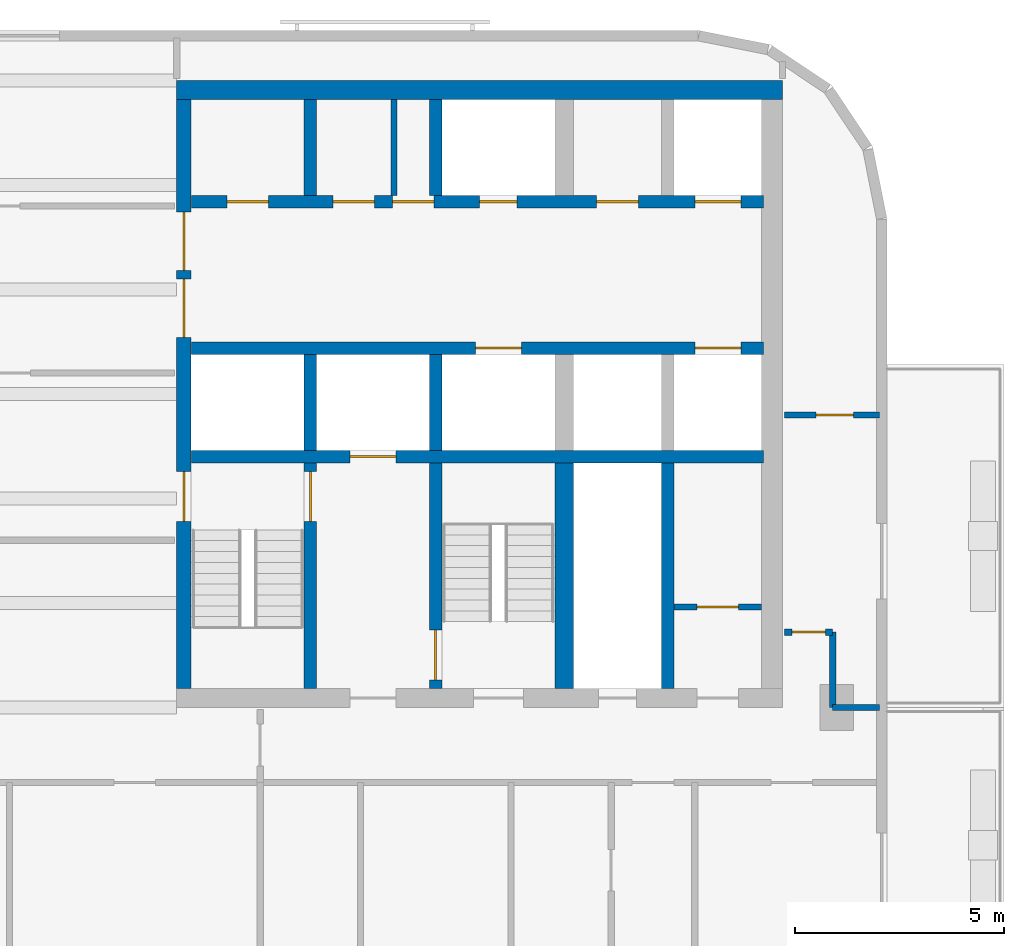
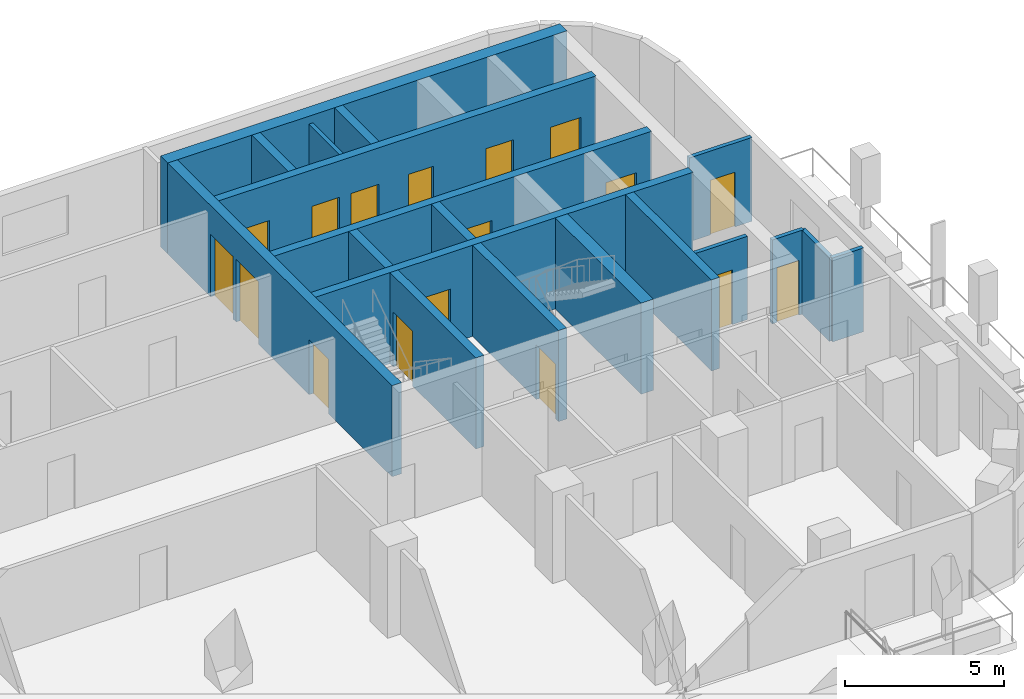
# One storey, part 6 of 11: 19 walls, 17 doors, 17 openings.
"""IFC4 building model written with IfcOpenShell, lengths in metres."""

from ifc_helpers import new_model, si_unit, direction, frame, frame_2d, origin, place, context, subcontext, project, spatial, rectangle, extrude, material, layer, layer_set, type_object, element, fill, save


model = new_model("IFC4")

# Units and contexts
model_context = context("Model", 3, precision=1e-05, world=origin(), true_north=direction((0.0, 1.0)))
body_context = subcontext(model_context, "Body", "Model", "MODEL_VIEW")
ifc_project = project(units=[si_unit("LENGTHUNIT", "METRE"), si_unit("AREAUNIT", "SQUARE_METRE"), si_unit("VOLUMEUNIT", "CUBIC_METRE"), si_unit("PLANEANGLEUNIT", "RADIAN"), si_unit("MASSUNIT", "GRAM", prefix="KILO")], contexts=[model_context])

# Site, building, storey
site_placement = place(None, origin())
site = spatial("IfcSite", under=ifc_project, at=site_placement, CompositionType="ELEMENT")
building_placement = place(site_placement, origin())
building = spatial("IfcBuilding", under=site, at=building_placement, Name="Torana Hotel and Residences", CompositionType="ELEMENT")
storey_placement = place(building_placement, frame((0.0, 0.0, 222.10009765625)))
storey = spatial("IfcBuildingStorey", under=building, at=storey_placement, Name="L58", CompositionType="ELEMENT", Elevation=222.10009765625)

# Wall, openings, doors
ifc_material_1 = material(Name="Concrete C70/85", Category="concrete")
ifc_layer_1 = layer(ifc_material_1, 0.300048828125)
ifc_layer_set_1 = layer_set([ifc_layer_1], Name="CORE WALL 300 C70/85")
wall_type_1 = type_object("IfcWallType", Name="CORE WALL 300 C70/85", PredefinedType="SHEAR", material=ifc_layer_set_1)
wall_1_placement = place(storey_placement, frame((10.35009765625, -2.89990234375, 0.0), z_axis=(0.0, 0.0, 1.0), x_axis=(1.0, 0.0, 0.0)))
wall_1 = element("IfcWall", 1, at=wall_1_placement, inside=storey, type_object=wall_type_1, Name="Core wall E row-N", PredefinedType="SHEAR", context=body_context, shape_type="SweptSolid", body=[
    extrude(rectangle(XDim=13.699951171875, YDim=0.300048828125, at=frame_2d((6.85009765625, 0.0))), origin(), (0.0, 0.0, 1.0), 3.5),
])
opening_1_placement = place(wall_1_placement, frame((12.050048828125, 0.0, 0.0)))
opening_1 = element("IfcOpeningElement", 2, at=opening_1_placement, cuts=wall_1, Name="Opening LD", PredefinedType="OPENING", context=body_context, shape_type="SweptSolid", body=[
    extrude(rectangle(XDim=1.10009765625, YDim=2.10009765625, at=frame_2d((0.550048828125, 1.050048828125))), frame((0.0, 0.159912109375, 0.0), z_axis=(0.0, -1.0, 0.0), x_axis=(1.0, 0.0, 0.0)), (0.0, 0.0, 1.0), 0.320068359375),
])
opening_2_placement = place(wall_1_placement, frame((6.89990234375, 0.0, 0.0)))
opening_2 = element("IfcOpeningElement", 3, at=opening_2_placement, cuts=wall_1, Name="Opening L58-22", PredefinedType="OPENING", context=body_context, shape_type="SweptSolid", body=[
    extrude(rectangle(XDim=0.89990234375, YDim=2.10009765625, at=frame_2d((0.449951171875, 1.050048828125))), frame((0.0, 0.159912109375, 0.0), z_axis=(0.0, -1.0, 0.0), x_axis=(1.0, 0.0, 0.0)), (0.0, 0.0, 1.0), 0.320068359375),
])
opening_3_placement = place(wall_1_placement, frame((0.85009765625, 0.0, 0.0)))
opening_3 = element("IfcOpeningElement", 4, at=opening_3_placement, cuts=wall_1, Name="Opening L58-23", PredefinedType="OPENING", context=body_context, shape_type="SweptSolid", body=[
    extrude(rectangle(XDim=1.0, YDim=2.10009765625, at=frame_2d((0.5, 1.050048828125))), frame((0.0, 0.159912109375, 0.0), z_axis=(0.0, -1.0, 0.0), x_axis=(1.0, 0.0, 0.0)), (0.0, 0.0, 1.0), 0.320068359375),
])
opening_4_placement = place(wall_1_placement, frame((3.387451171875, 0.0, 0.0)))
opening_4 = element("IfcOpeningElement", 5, at=opening_4_placement, cuts=wall_1, Name="Opening L58-24", PredefinedType="OPENING", context=body_context, shape_type="SweptSolid", body=[
    extrude(rectangle(XDim=1.0, YDim=2.10009765625, at=frame_2d((0.5, 1.050048828125))), frame((0.0, 0.159912109375, 0.0), z_axis=(0.0, -1.0, 0.0), x_axis=(1.0, 0.0, 0.0)), (0.0, 0.0, 1.0), 0.320068359375),
])
opening_5_placement = place(wall_1_placement, frame((4.8125, 0.0, 0.0)))
opening_5 = element("IfcOpeningElement", 6, at=opening_5_placement, cuts=wall_1, Name="Opening L58-25", PredefinedType="OPENING", context=body_context, shape_type="SweptSolid", body=[
    extrude(rectangle(XDim=1.0, YDim=2.10009765625, at=frame_2d((0.5, 1.050048828125))), frame((0.0, 0.159912109375, 0.0), z_axis=(0.0, -1.0, 0.0), x_axis=(1.0, 0.0, 0.0)), (0.0, 0.0, 1.0), 0.320068359375),
])
opening_6_placement = place(wall_1_placement, frame((9.699951171875, 0.0, 0.0)))
opening_6 = element("IfcOpeningElement", 7, at=opening_6_placement, cuts=wall_1, Name="Opening L58-26", PredefinedType="OPENING", context=body_context, shape_type="SweptSolid", body=[
    extrude(rectangle(XDim=1.0, YDim=2.10009765625, at=frame_2d((0.5, 1.050048828125))), frame((0.0, 0.159912109375, 0.0), z_axis=(0.0, -1.0, 0.0), x_axis=(1.0, 0.0, 0.0)), (0.0, 0.0, 1.0), 0.320068359375),
])
ifc_material_2 = material(Name="Steel S235", Category="steel")
door_type_1 = type_object("IfcDoorType", Name="CORE ROOM FIRE DOOR D14 1000x2100", OperationType="SINGLE_SWING_LEFT", PredefinedType="DOOR", material=ifc_material_2)
door_1_placement = place(opening_3_placement, origin())
door_1 = element("IfcDoor", 8, at=door_1_placement, inside=storey, type_object=door_type_1, Name="N0 door L58", OperationType="SINGLE_SWING_RIGHT", OverallHeight=2.10009765625, OverallWidth=1.0, PredefinedType="DOOR", context=body_context, shape_type="SweptSolid", body=[
    extrude(rectangle(XDim=1.0, YDim=2.10009765625, at=frame_2d((0.5, 1.050048828125))), frame((0.0, 0.02490234375, 0.0), z_axis=(0.0, -1.0, 0.0), x_axis=(1.0, 0.0, 0.0)), (0.0, 0.0, 1.0), 0.050048828125),
])
fill(opening_3, door_1)
door_2_placement = place(opening_4_placement, origin())
door_2 = element("IfcDoor", 9, at=door_2_placement, inside=storey, type_object=door_type_1, Name="N1A door L58", OperationType="SINGLE_SWING_RIGHT", OverallHeight=2.10009765625, OverallWidth=1.0, PredefinedType="DOOR", context=body_context, shape_type="SweptSolid", body=[
    extrude(rectangle(XDim=1.0, YDim=2.10009765625, at=frame_2d((0.5, 1.050048828125))), frame((0.0, 0.02490234375, 0.0), z_axis=(0.0, -1.0, 0.0), x_axis=(1.0, 0.0, 0.0)), (0.0, 0.0, 1.0), 0.050048828125),
])
fill(opening_4, door_2)
door_3_placement = place(opening_5_placement, origin())
door_3 = element("IfcDoor", 10, at=door_3_placement, inside=storey, type_object=door_type_1, Name="N1B door L58", OperationType="SINGLE_SWING_LEFT", OverallHeight=2.10009765625, OverallWidth=1.0, PredefinedType="DOOR", context=body_context, shape_type="SweptSolid", body=[
    extrude(rectangle(XDim=1.0, YDim=2.10009765625, at=frame_2d((0.5, 1.050048828125))), frame((0.0, 0.02490234375, 0.0), z_axis=(0.0, -1.0, 0.0), x_axis=(1.0, 0.0, 0.0)), (0.0, 0.0, 1.0), 0.050048828125),
])
fill(opening_5, door_3)
door_4_placement = place(opening_6_placement, origin())
door_4 = element("IfcDoor", 11, at=door_4_placement, inside=storey, type_object=door_type_1, Name="Freed-S2 door L58", OperationType="SINGLE_SWING_RIGHT", OverallHeight=2.10009765625, OverallWidth=1.0, PredefinedType="DOOR", context=body_context, shape_type="SweptSolid", body=[
    extrude(rectangle(XDim=1.0, YDim=2.10009765625, at=frame_2d((0.5, 1.050048828125))), frame((0.0, 0.02490234375, 0.0), z_axis=(0.0, -1.0, 0.0), x_axis=(1.0, 0.0, 0.0)), (0.0, 0.0, 1.0), 0.050048828125),
])
fill(opening_6, door_4)
ifc_material_3 = material(Name="Stainless steel 316", Category="steel")
door_type_2 = type_object("IfcDoorType", Name="LIFT LANDING DOOR LD 1100x2100", OperationType="DOUBLE_DOOR_SLIDING", PredefinedType="USERDEFINED", material=ifc_material_3)
door_5_placement = place(opening_1_placement, origin())
door_5 = element("IfcDoor", 12, at=door_5_placement, inside=storey, type_object=door_type_2, Name="Lift landing door M3 L58", ObjectType="LIFT LANDING DOOR", OperationType="DOUBLE_DOOR_SLIDING", OverallHeight=2.10009765625, OverallWidth=1.10009765625, PredefinedType="USERDEFINED", context=body_context, shape_type="SweptSolid", body=[
    extrude(rectangle(XDim=1.10009765625, YDim=2.10009765625, at=frame_2d((0.550048828125, 1.050048828125))), frame((0.0, 0.02490234375, 0.0), z_axis=(0.0, -1.0, 0.0), x_axis=(1.0, 0.0, 0.0)), (0.0, 0.0, 1.0), 0.050048828125),
])
fill(opening_1, door_5)
ifc_material_4 = material(Name="Steel S235", Category="steel")
door_type_3 = type_object("IfcDoorType", Name="RISER ACCESS DOOR D5 900x2100", OperationType="SINGLE_SWING_LEFT", PredefinedType="DOOR", material=ifc_material_4)
door_6_placement = place(opening_2_placement, origin())
door_6 = element("IfcDoor", 13, at=door_6_placement, inside=storey, type_object=door_type_3, Name="N2 door L58", OperationType="SINGLE_SWING_RIGHT", OverallHeight=2.10009765625, OverallWidth=0.89990234375, PredefinedType="DOOR", context=body_context, shape_type="SweptSolid", body=[
    extrude(rectangle(XDim=0.89990234375, YDim=2.10009765625, at=frame_2d((0.449951171875, 1.050048828125))), frame((0.0, 0.02490234375, 0.0), z_axis=(0.0, -1.0, 0.0), x_axis=(1.0, 0.0, 0.0)), (0.0, 0.0, 1.0), 0.050048828125),
])
fill(opening_2, door_6)

wall_2_placement = place(storey_placement, frame((10.35009765625, -6.39990234375, 0.0), z_axis=(0.0, 0.0, 1.0), x_axis=(1.0, 0.0, 0.0)))
wall_2 = element("IfcWall", 14, at=wall_2_placement, inside=storey, type_object=wall_type_1, Name="Core wall E row-S", PredefinedType="SHEAR", context=body_context, shape_type="SweptSolid", body=[
    extrude(rectangle(XDim=13.699951171875, YDim=0.300048828125, at=frame_2d((6.85009765625, 0.0))), origin(), (0.0, 0.0, 1.0), 3.5),
])
opening_7_placement = place(wall_2_placement, frame((12.050048828125, 0.0, 0.0)))
opening_7 = element("IfcOpeningElement", 15, at=opening_7_placement, cuts=wall_2, Name="Opening LD", PredefinedType="OPENING", context=body_context, shape_type="SweptSolid", body=[
    extrude(rectangle(XDim=1.10009765625, YDim=2.10009765625, at=frame_2d((0.550048828125, 1.050048828125))), frame((0.0, 0.159912109375, 0.0), z_axis=(0.0, -1.0, 0.0), x_axis=(1.0, 0.0, 0.0)), (0.0, 0.0, 1.0), 0.320068359375),
])
opening_8_placement = place(wall_2_placement, frame((6.800048828125, 0.0, 0.0)))
opening_8 = element("IfcOpeningElement", 16, at=opening_8_placement, cuts=wall_2, Name="Opening LD", PredefinedType="OPENING", context=body_context, shape_type="SweptSolid", body=[
    extrude(rectangle(XDim=1.10009765625, YDim=2.10009765625, at=frame_2d((0.550048828125, 1.050048828125))), frame((0.0, 0.159912109375, 0.0), z_axis=(0.0, -1.0, 0.0), x_axis=(1.0, 0.0, 0.0)), (0.0, 0.0, 1.0), 0.320068359375),
])
door_7_placement = place(opening_7_placement, origin())
door_7 = element("IfcDoor", 17, at=door_7_placement, inside=storey, type_object=door_type_2, Name="Lift landing door M4 L58", ObjectType="LIFT LANDING DOOR", OperationType="DOUBLE_DOOR_SLIDING", OverallHeight=2.10009765625, OverallWidth=1.10009765625, PredefinedType="USERDEFINED", context=body_context, shape_type="SweptSolid", body=[
    extrude(rectangle(XDim=1.10009765625, YDim=2.10009765625, at=frame_2d((0.550048828125, 1.050048828125))), frame((0.0, 0.02490234375, 0.0), z_axis=(0.0, -1.0, 0.0), x_axis=(1.0, 0.0, 0.0)), (0.0, 0.0, 1.0), 0.050048828125),
])
fill(opening_7, door_7)
door_8_placement = place(opening_8_placement, origin())
door_8 = element("IfcDoor", 18, at=door_8_placement, inside=storey, type_object=door_type_2, Name="Lift landing door SV2 L58", ObjectType="LIFT LANDING DOOR", OperationType="DOUBLE_DOOR_SLIDING", OverallHeight=2.10009765625, OverallWidth=1.10009765625, PredefinedType="USERDEFINED", context=body_context, shape_type="SweptSolid", body=[
    extrude(rectangle(XDim=1.10009765625, YDim=2.10009765625, at=frame_2d((0.550048828125, 1.050048828125))), frame((0.0, 0.02490234375, 0.0), z_axis=(0.0, -1.0, 0.0), x_axis=(1.0, 0.0, 0.0)), (0.0, 0.0, 1.0), 0.050048828125),
])
fill(opening_8, door_8)

# Wall, opening, door
wall_3_placement = place(storey_placement, frame((10.35009765625, -9.0, 0.0), z_axis=(0.0, 0.0, 1.0), x_axis=(1.0, 0.0, 0.0)))
wall_3 = element("IfcWall", 19, at=wall_3_placement, inside=storey, type_object=wall_type_1, Name="Core wall E band", PredefinedType="SHEAR", context=body_context, shape_type="SweptSolid", body=[
    extrude(rectangle(XDim=13.699951171875, YDim=0.300048828125, at=frame_2d((6.85009765625, 0.0))), origin(), (0.0, 0.0, 1.0), 3.5),
])
opening_9_placement = place(wall_3_placement, frame((3.800048828125, 0.0, 0.0)))
opening_9 = element("IfcOpeningElement", 20, at=opening_9_placement, cuts=wall_3, Name="Opening LD", PredefinedType="OPENING", context=body_context, shape_type="SweptSolid", body=[
    extrude(rectangle(XDim=1.10009765625, YDim=2.10009765625, at=frame_2d((0.550048828125, 1.050048828125))), frame((0.0, 0.159912109375, 0.0), z_axis=(0.0, -1.0, 0.0), x_axis=(1.0, 0.0, 0.0)), (0.0, 0.0, 1.0), 0.320068359375),
])
door_9_placement = place(opening_9_placement, origin())
door_9 = element("IfcDoor", 21, at=door_9_placement, inside=storey, type_object=door_type_2, Name="Lift landing door FF2 L58", ObjectType="LIFT LANDING DOOR", OperationType="DOUBLE_DOOR_SLIDING", OverallHeight=2.10009765625, OverallWidth=1.10009765625, PredefinedType="USERDEFINED", context=body_context, shape_type="SweptSolid", body=[
    extrude(rectangle(XDim=1.10009765625, YDim=2.10009765625, at=frame_2d((0.550048828125, 1.050048828125))), frame((0.0, 0.02490234375, 0.0), z_axis=(0.0, -1.0, 0.0), x_axis=(1.0, 0.0, 0.0)), (0.0, 0.0, 1.0), 0.050048828125),
])
fill(opening_9, door_9)

# Walls
for number, where, z_axis, x_axis, name in (
    (22, (13.199951171875, -2.75, 0.0), (0.0, 0.0, 1.0), (0.0, 1.0, 0.0), "Core wall E x3.05-N"),
    (23, (13.199951171875, -8.85009765625, 0.0), (0.0, 0.0, 1.0), (0.0, 1.0, 0.0), "Core wall E x3.05-S"),
):
    element("IfcWall", number, at=place(storey_placement, frame(where, z_axis=z_axis, x_axis=x_axis)), inside=storey, type_object=wall_type_1, Name=name, PredefinedType="SHEAR", context=body_context, shape_type="SweptSolid", body=[
        extrude(rectangle(XDim=2.300048828125, YDim=0.300048828125, at=frame_2d((1.14990234375, 0.0))), origin(), (0.0, 0.0, 1.0), 3.5),
    ])

# Wall, opening, door
wall_4_placement = place(storey_placement, frame((13.199951171875, -14.550048828125, 0.0), z_axis=(0.0, 0.0, 1.0), x_axis=(0.0, 1.0, 0.0)))
wall_4 = element("IfcWall", 24, at=wall_4_placement, inside=storey, type_object=wall_type_1, Name="Core wall E x3.05-band", PredefinedType="SHEAR", context=body_context, shape_type="SweptSolid", body=[
    extrude(rectangle(XDim=5.400146484375, YDim=0.300048828125, at=frame_2d((2.7001953125, 0.0))), origin(), (0.0, 0.0, 1.0), 3.5),
])
opening_10_placement = place(wall_4_placement, frame((4.0, 0.0, 0.0)))
opening_10 = element("IfcOpeningElement", 25, at=opening_10_placement, cuts=wall_4, Name="Opening L58-27", PredefinedType="OPENING", context=body_context, shape_type="SweptSolid", body=[
    extrude(rectangle(XDim=1.199951171875, YDim=2.10009765625, at=frame_2d((0.60009765625, 1.050048828125))), frame((0.0, 0.159912109375, 0.0), z_axis=(0.0, -1.0, 0.0), x_axis=(1.0, 0.0, 0.0)), (0.0, 0.0, 1.0), 0.320068359375),
])
ifc_material_5 = material(Name="Steel S235", Category="steel")
door_type_4 = type_object("IfcDoorType", Name="STAIR FIRE DOOR D3 1200x2100", OperationType="SINGLE_SWING_LEFT", PredefinedType="DOOR", material=ifc_material_5)
door_10_placement = place(opening_10_placement, origin())
door_10 = element("IfcDoor", 26, at=door_10_placement, inside=storey, type_object=door_type_4, Name="Stair-A-lobby door L58", OperationType="SINGLE_SWING_LEFT", OverallHeight=2.10009765625, OverallWidth=1.199951171875, PredefinedType="DOOR", context=body_context, shape_type="SweptSolid", body=[
    extrude(rectangle(XDim=1.199951171875, YDim=2.10009765625, at=frame_2d((0.60009765625, 1.050048828125))), frame((0.0, 0.02490234375, 0.0), z_axis=(0.0, -1.0, 0.0), x_axis=(1.0, 0.0, 0.0)), (0.0, 0.0, 1.0), 0.050048828125),
])
fill(opening_10, door_10)

# Walls
for number, where, z_axis, x_axis, name in (
    (27, (16.199951171875, -2.75, 0.0), (0.0, 0.0, 1.0), (0.0, 1.0, 0.0), "Core wall E x6.05-N"),
    (28, (16.199951171875, -8.85009765625, 0.0), (0.0, 0.0, 1.0), (0.0, 1.0, 0.0), "Core wall E x6.05-S"),
):
    element("IfcWall", number, at=place(storey_placement, frame(where, z_axis=z_axis, x_axis=x_axis)), inside=storey, type_object=wall_type_1, Name=name, PredefinedType="SHEAR", context=body_context, shape_type="SweptSolid", body=[
        extrude(rectangle(XDim=2.300048828125, YDim=0.300048828125, at=frame_2d((1.14990234375, 0.0))), origin(), (0.0, 0.0, 1.0), 3.5),
    ])

# Wall, opening, door
wall_5_placement = place(storey_placement, frame((16.199951171875, -14.550048828125, 0.0), z_axis=(0.0, 0.0, 1.0), x_axis=(0.0, 1.0, 0.0)))
wall_5 = element("IfcWall", 29, at=wall_5_placement, inside=storey, type_object=wall_type_1, Name="Core wall E x6.05-band", PredefinedType="SHEAR", context=body_context, shape_type="SweptSolid", body=[
    extrude(rectangle(XDim=5.400146484375, YDim=0.300048828125, at=frame_2d((2.7001953125, 0.0))), origin(), (0.0, 0.0, 1.0), 3.5),
])
opening_11_placement = place(wall_5_placement, frame((0.199951171875, 0.0, 0.0)))
opening_11 = element("IfcOpeningElement", 30, at=opening_11_placement, cuts=wall_5, Name="Opening L58-28", PredefinedType="OPENING", context=body_context, shape_type="SweptSolid", body=[
    extrude(rectangle(XDim=1.199951171875, YDim=2.10009765625, at=frame_2d((0.60009765625, 1.050048828125))), frame((0.0, 0.159912109375, 0.0), z_axis=(0.0, -1.0, 0.0), x_axis=(1.0, 0.0, 0.0)), (0.0, 0.0, 1.0), 0.320068359375),
])
door_11_placement = place(opening_11_placement, frame((0.60009765625, 0.0, 0.0), z_axis=(0.0, 0.0, 1.0), x_axis=(-1.0, 0.0, 0.0)))
door_11 = element("IfcDoor", 31, at=door_11_placement, inside=storey, type_object=door_type_4, Name="Stair-B-lobby door L58", OperationType="SINGLE_SWING_LEFT", OverallHeight=2.10009765625, OverallWidth=1.199951171875, PredefinedType="DOOR", context=body_context, shape_type="SweptSolid", body=[
    extrude(rectangle(XDim=1.199951171875, YDim=2.10009765625, at=frame_2d((0.0, 1.050048828125))), frame((0.0, -0.02490234375, 0.0), z_axis=(0.0, 1.0, 0.0), x_axis=(-1.0, 0.0, 0.0)), (0.0, 0.0, 1.0), 0.050048828125),
])
fill(opening_11, door_11)

# Wall
wall_6_placement = place(storey_placement, frame((21.75, -14.550048828125, 0.0), z_axis=(0.0, 0.0, 1.0), x_axis=(0.0, 1.0, 0.0)))
element("IfcWall", 32, at=wall_6_placement, inside=storey, type_object=wall_type_1, Name="Core wall E mm-band", PredefinedType="SHEAR", context=body_context, shape_type="SweptSolid", body=[
    extrude(rectangle(XDim=5.400146484375, YDim=0.300048828125, at=frame_2d((2.7001953125, 0.0))), origin(), (0.0, 0.0, 1.0), 3.5),
])

# Wall, openings, doors
ifc_material_6 = material(Name="Concrete C70/85", Category="concrete")
ifc_layer_2 = layer(ifc_material_6, 0.35009765625)
ifc_layer_set_2 = layer_set([ifc_layer_2], Name="CORE WALL 350 C70/85")
wall_type_2 = type_object("IfcWallType", Name="CORE WALL 350 C70/85", PredefinedType="SHEAR", material=ifc_layer_set_2)
wall_7_placement = place(storey_placement, frame((10.175048828125, -14.550048828125, 0.0), z_axis=(0.0, 0.0, 1.0), x_axis=(0.0, 1.0, 0.0)))
wall_7 = element("IfcWall", 33, at=wall_7_placement, inside=storey, type_object=wall_type_2, Name="Core wall E arch", PredefinedType="SHEAR", context=body_context, shape_type="SweptSolid", body=[
    extrude(rectangle(XDim=14.10009765625, YDim=0.35009765625, at=frame_2d((7.050048828125, 0.0))), origin(), (0.0, 0.0, 1.0), 3.5),
])
opening_12_placement = place(wall_7_placement, frame((8.39990234375, 0.0, 0.0)))
opening_12 = element("IfcOpeningElement", 34, at=opening_12_placement, cuts=wall_7, Name="Opening L58-15", PredefinedType="OPENING", context=body_context, shape_type="SweptSolid", body=[
    extrude(rectangle(XDim=1.39990234375, YDim=2.39990234375, at=frame_2d((0.699951171875, 1.199951171875))), frame((0.0, 0.18505859375, 0.0), z_axis=(0.0, -1.0, 0.0), x_axis=(1.0, 0.0, 0.0)), (0.0, 0.0, 1.0), 0.3701171875),
])
opening_13_placement = place(wall_7_placement, frame((10.0, 0.0, 0.0)))
opening_13 = element("IfcOpeningElement", 35, at=opening_13_placement, cuts=wall_7, Name="Opening L58-16", PredefinedType="OPENING", context=body_context, shape_type="SweptSolid", body=[
    extrude(rectangle(XDim=1.39990234375, YDim=2.39990234375, at=frame_2d((0.699951171875, 1.199951171875))), frame((0.0, 0.18505859375, 0.0), z_axis=(0.0, -1.0, 0.0), x_axis=(1.0, 0.0, 0.0)), (0.0, 0.0, 1.0), 0.3701171875),
])
opening_14_placement = place(wall_7_placement, frame((4.0, 0.0, 0.0)))
opening_14 = element("IfcOpeningElement", 36, at=opening_14_placement, cuts=wall_7, Name="Opening L58-17", PredefinedType="OPENING", context=body_context, shape_type="SweptSolid", body=[
    extrude(rectangle(XDim=1.199951171875, YDim=2.10009765625, at=frame_2d((0.60009765625, 1.050048828125))), frame((0.0, 0.18505859375, 0.0), z_axis=(0.0, -1.0, 0.0), x_axis=(1.0, 0.0, 0.0)), (0.0, 0.0, 1.0), 0.3701171875),
])
ifc_material_7 = material(Name="Steel S235", Category="steel")
door_type_5 = type_object("IfcDoorType", Name="LOBBY FIRE DOOR D4 1400x2400", OperationType="DOUBLE_DOOR_SINGLE_SWING", PredefinedType="DOOR", material=ifc_material_7)
door_12_placement = place(opening_12_placement, origin())
door_12 = element("IfcDoor", 37, at=door_12_placement, inside=storey, type_object=door_type_5, Name="Lobby-1 door L58", OperationType="DOUBLE_DOOR_SINGLE_SWING", OverallHeight=2.39990234375, OverallWidth=1.39990234375, PredefinedType="DOOR", context=body_context, shape_type="SweptSolid", body=[
    extrude(rectangle(XDim=1.39990234375, YDim=2.39990234375, at=frame_2d((0.699951171875, 1.199951171875))), frame((0.0, 0.02490234375, 0.0), z_axis=(0.0, -1.0, 0.0), x_axis=(1.0, 0.0, 0.0)), (0.0, 0.0, 1.0), 0.050048828125),
])
fill(opening_12, door_12)
door_13_placement = place(opening_13_placement, origin())
door_13 = element("IfcDoor", 38, at=door_13_placement, inside=storey, type_object=door_type_5, Name="Lobby-2 door L58", OperationType="DOUBLE_DOOR_SINGLE_SWING", OverallHeight=2.39990234375, OverallWidth=1.39990234375, PredefinedType="DOOR", context=body_context, shape_type="SweptSolid", body=[
    extrude(rectangle(XDim=1.39990234375, YDim=2.39990234375, at=frame_2d((0.699951171875, 1.199951171875))), frame((0.0, 0.02490234375, 0.0), z_axis=(0.0, -1.0, 0.0), x_axis=(1.0, 0.0, 0.0)), (0.0, 0.0, 1.0), 0.050048828125),
])
fill(opening_13, door_13)
door_14_placement = place(opening_14_placement, frame((0.60009765625, 0.0, 0.0), z_axis=(0.0, 0.0, 1.0), x_axis=(-1.0, 0.0, 0.0)))
door_14 = element("IfcDoor", 39, at=door_14_placement, inside=storey, type_object=door_type_4, Name="Stair-A door L58", OperationType="SINGLE_SWING_RIGHT", OverallHeight=2.10009765625, OverallWidth=1.199951171875, PredefinedType="DOOR", context=body_context, shape_type="SweptSolid", body=[
    extrude(rectangle(XDim=1.199951171875, YDim=2.10009765625, at=frame_2d((0.0, 1.050048828125))), frame((0.0, -0.02490234375, 0.0), z_axis=(0.0, 1.0, 0.0), x_axis=(-1.0, 0.0, 0.0)), (0.0, 0.0, 1.0), 0.050048828125),
])
fill(opening_14, door_14)

# Walls
ifc_material_8 = material(Name="Concrete C70/85", Category="concrete")
ifc_layer_3 = layer(ifc_material_8, 0.449951171875)
ifc_layer_set_3 = layer_set([ifc_layer_3], Name="CORE WALL 450 C70/85")
wall_type_3 = type_object("IfcWallType", Name="CORE WALL 450 C70/85", PredefinedType="SHEAR", material=ifc_layer_set_3)
wall_8_placement = place(storey_placement, frame((10.0, -0.22509765625, 0.0), z_axis=(0.0, 0.0, 1.0), x_axis=(1.0, 0.0, 0.0)))
element("IfcWall", 40, at=wall_8_placement, inside=storey, type_object=wall_type_3, Name="Core wall E rear", PredefinedType="SHEAR", context=body_context, shape_type="SweptSolid", body=[
    extrude(rectangle(XDim=14.5, YDim=0.449951171875, at=frame_2d((7.25, 0.0))), origin(), (0.0, 0.0, 1.0), 3.5),
])
wall_9_placement = place(storey_placement, frame((19.27490234375, -14.550048828125, 0.0), z_axis=(0.0, 0.0, 1.0), x_axis=(0.0, 1.0, 0.0)))
element("IfcWall", 41, at=wall_9_placement, inside=storey, type_object=wall_type_3, Name="Core wall E hm-band", PredefinedType="SHEAR", context=body_context, shape_type="SweptSolid", body=[
    extrude(rectangle(XDim=5.400146484375, YDim=0.449951171875, at=frame_2d((2.7001953125, 0.0))), origin(), (0.0, 0.0, 1.0), 3.5),
])
ifc_material_9 = material(Name="Gypsum plaster")
ifc_layer_4 = layer(ifc_material_9, 0.014892578125, Name="Plaster", Category="finish")
ifc_material_10 = material(Name="Concrete blockwork", Category="masonry")
ifc_layer_5 = layer(ifc_material_10, 0.1201171875, Name="Blockwork", Category="structure")
ifc_layer_6 = layer(ifc_material_9, 0.014892578125, Name="Plaster", Category="finish")
ifc_layer_set_4 = layer_set([ifc_layer_4, ifc_layer_5, ifc_layer_6], Name="FIRE PARTITION 150 BLOCKWORK")
wall_type_4 = type_object("IfcWallType", Name="FIRE PARTITION 150 BLOCKWORK", PredefinedType="PARTITIONING", material=ifc_layer_set_4)
wall_10_placement = place(storey_placement, frame((15.199951171875, -2.75, 0.0), z_axis=(0.0, 0.0, 1.0), x_axis=(0.0, 1.0, 0.0)))
element("IfcWall", 42, at=wall_10_placement, inside=storey, type_object=wall_type_4, Name="Core partition L58", PredefinedType="PARTITIONING", context=body_context, shape_type="SweptSolid", body=[
    extrude(rectangle(XDim=2.300048828125, YDim=0.14990234375, at=frame_2d((1.14990234375, 0.0))), origin(), (0.0, 0.0, 1.0), 3.199951171875),
])

# Wall, opening, door
wall_11_placement = place(storey_placement, frame((21.89990234375, -12.60009765625, 0.0), z_axis=(0.0, 0.0, 1.0), x_axis=(1.0, 0.0, 0.0)))
wall_11 = element("IfcWall", 43, at=wall_11_placement, inside=storey, type_object=wall_type_4, Name="Core partition L58", PredefinedType="PARTITIONING", context=body_context, shape_type="SweptSolid", body=[
    extrude(rectangle(XDim=2.10009765625, YDim=0.14990234375, at=frame_2d((1.050048828125, 0.0))), origin(), (0.0, 0.0, 1.0), 3.199951171875),
])
opening_15_placement = place(wall_11_placement, frame((0.550048828125, 0.0, 0.0)))
opening_15 = element("IfcOpeningElement", 44, at=opening_15_placement, cuts=wall_11, Name="Opening L58-30", PredefinedType="OPENING", context=body_context, shape_type="SweptSolid", body=[
    extrude(rectangle(XDim=1.0, YDim=2.10009765625, at=frame_2d((0.5, 1.050048828125))), frame((0.0, 0.0849609375, 0.0), z_axis=(0.0, -1.0, 0.0), x_axis=(1.0, 0.0, 0.0)), (0.0, 0.0, 1.0), 0.169921875),
])
door_15_placement = place(opening_15_placement, origin())
door_15 = element("IfcDoor", 45, at=door_15_placement, inside=storey, type_object=door_type_1, Name="Plant room door L58", OperationType="SINGLE_SWING_RIGHT", OverallHeight=2.10009765625, OverallWidth=1.0, PredefinedType="DOOR", context=body_context, shape_type="SweptSolid", body=[
    extrude(rectangle(XDim=1.0, YDim=2.10009765625, at=frame_2d((0.5, 1.050048828125))), frame((0.0, 0.02490234375, 0.0), z_axis=(0.0, -1.0, 0.0), x_axis=(1.0, 0.0, 0.0)), (0.0, 0.0, 1.0), 0.050048828125),
])
fill(opening_15, door_15)

# Walls
wall_12_placement = place(storey_placement, frame((25.699951171875, -15.0, 0.0), z_axis=(0.0, 0.0, 1.0), x_axis=(0.0, 1.0, 0.0)))
element("IfcWall", 46, at=wall_12_placement, inside=storey, type_object=wall_type_4, Name="Partition L58", PredefinedType="PARTITIONING", context=body_context, shape_type="SweptSolid", body=[
    extrude(rectangle(XDim=1.800048828125, YDim=0.14990234375, at=frame_2d((0.89990234375, 0.0))), origin(), (0.0, 0.0, 1.0), 3.219970703125),
])
wall_13_placement = place(storey_placement, frame((25.699951171875, -15.0, 0.0), z_axis=(0.0, 0.0, 1.0), x_axis=(1.0, 0.0, 0.0)))
element("IfcWall", 47, at=wall_13_placement, inside=storey, type_object=wall_type_4, Name="Partition L58", PredefinedType="PARTITIONING", context=body_context, shape_type="SweptSolid", body=[
    extrude(rectangle(XDim=1.1201171875, YDim=0.14990234375, at=frame_2d((0.56005859375, 0.0))), origin(), (0.0, 0.0, 1.0), 3.219970703125),
])

# Wall, opening, door
wall_14_placement = place(storey_placement, frame((24.550048828125, -13.199951171875, 0.0), z_axis=(0.0, 0.0, 1.0), x_axis=(1.0, 0.0, 0.0)))
wall_14 = element("IfcWall", 48, at=wall_14_placement, inside=storey, type_object=wall_type_4, Name="Partition L58", PredefinedType="PARTITIONING", context=body_context, shape_type="SweptSolid", body=[
    extrude(rectangle(XDim=1.14990234375, YDim=0.14990234375, at=frame_2d((0.574951171875, 0.0))), origin(), (0.0, 0.0, 1.0), 3.219970703125),
])
opening_16_placement = place(wall_14_placement, frame((0.175048828125, 0.0, 0.0)))
opening_16 = element("IfcOpeningElement", 49, at=opening_16_placement, cuts=wall_14, Name="Opening L58-39", PredefinedType="OPENING", context=body_context, shape_type="SweptSolid", body=[
    extrude(rectangle(XDim=0.800048828125, YDim=2.10009765625, at=frame_2d((0.39990234375, 1.050048828125))), frame((0.0, 0.0849609375, 0.0), z_axis=(0.0, -1.0, 0.0), x_axis=(1.0, 0.0, 0.0)), (0.0, 0.0, 1.0), 0.169921875),
])
ifc_material_11 = material(Name="Steel S235", Category="steel")
door_type_6 = type_object("IfcDoorType", Name="STORE FIRE DOOR D16 800x2100", OperationType="SINGLE_SWING_LEFT", PredefinedType="DOOR", material=ifc_material_11)
door_16_placement = place(opening_16_placement, origin())
door_16 = element("IfcDoor", 50, at=door_16_placement, inside=storey, type_object=door_type_6, Name="Door L58", OperationType="SINGLE_SWING_RIGHT", OverallHeight=2.10009765625, OverallWidth=0.800048828125, PredefinedType="DOOR", context=body_context, shape_type="SweptSolid", body=[
    extrude(rectangle(XDim=0.800048828125, YDim=2.10009765625, at=frame_2d((0.39990234375, 1.050048828125))), frame((0.0, 0.02490234375, 0.0), z_axis=(0.0, -1.0, 0.0), x_axis=(1.0, 0.0, 0.0)), (0.0, 0.0, 1.0), 0.050048828125),
])
fill(opening_16, door_16)

ifc_material_12 = material(Name="Gypsum plasterboard")
ifc_layer_7 = layer(ifc_material_12, 0.012451171875, Name="Plasterboard", Category="finish")
ifc_layer_8 = layer(ifc_material_12, 0.012451171875, Name="Plasterboard", Category="finish")
ifc_material_13 = material(Name="Steel S280GD", Category="steel")
ifc_layer_9 = layer(ifc_material_13, 0.10009765625, Name="Steel studs with mineral wool", Category="insulation")
ifc_layer_10 = layer(ifc_material_12, 0.012451171875, Name="Plasterboard", Category="finish")
ifc_layer_11 = layer(ifc_material_12, 0.012451171875, Name="Plasterboard", Category="finish")
ifc_layer_set_5 = layer_set([ifc_layer_7, ifc_layer_8, ifc_layer_9, ifc_layer_10, ifc_layer_11], Name="PARTITION 150 PLASTERBOARD")
wall_type_5 = type_object("IfcWallType", Name="PARTITION 150 PLASTERBOARD", PredefinedType="PARTITIONING", material=ifc_layer_set_5)
wall_15_placement = place(storey_placement, frame((24.550048828125, -8.0, 0.0), z_axis=(0.0, 0.0, 1.0), x_axis=(1.0, 0.0, 0.0)))
wall_15 = element("IfcWall", 51, at=wall_15_placement, inside=storey, type_object=wall_type_5, Name="Partition L58", PredefinedType="PARTITIONING", context=body_context, shape_type="SweptSolid", body=[
    extrude(rectangle(XDim=2.27001953125, YDim=0.14990234375, at=frame_2d((1.135009765625, 0.0))), origin(), (0.0, 0.0, 1.0), 3.219970703125),
])
opening_17_placement = place(wall_15_placement, frame((0.75, 0.0, 0.0)))
opening_17 = element("IfcOpeningElement", 52, at=opening_17_placement, cuts=wall_15, Name="Opening L58-65", PredefinedType="OPENING", context=body_context, shape_type="SweptSolid", body=[
    extrude(rectangle(XDim=0.89990234375, YDim=2.10009765625, at=frame_2d((0.449951171875, 1.050048828125))), frame((0.0, 0.0849609375, 0.0), z_axis=(0.0, -1.0, 0.0), x_axis=(1.0, 0.0, 0.0)), (0.0, 0.0, 1.0), 0.169921875),
])
ifc_material_14 = material(Name="Timber door, oiled ash", Category="wood")
door_type_7 = type_object("IfcDoorType", Name="ROOM DOOR D7 900x2100", OperationType="SINGLE_SWING_LEFT", PredefinedType="DOOR", material=ifc_material_14)
door_17_placement = place(opening_17_placement, origin())
door_17 = element("IfcDoor", 53, at=door_17_placement, inside=storey, type_object=door_type_7, Name="Door L58", OperationType="SINGLE_SWING_LEFT", OverallHeight=2.10009765625, OverallWidth=0.89990234375, PredefinedType="DOOR", context=body_context, shape_type="SweptSolid", body=[
    extrude(rectangle(XDim=0.89990234375, YDim=2.10009765625, at=frame_2d((0.449951171875, 1.050048828125))), frame((0.0, 0.02490234375, 0.0), z_axis=(0.0, -1.0, 0.0), x_axis=(1.0, 0.0, 0.0)), (0.0, 0.0, 1.0), 0.050048828125),
])
fill(opening_17, door_17)

save(model, "model.ifc")
